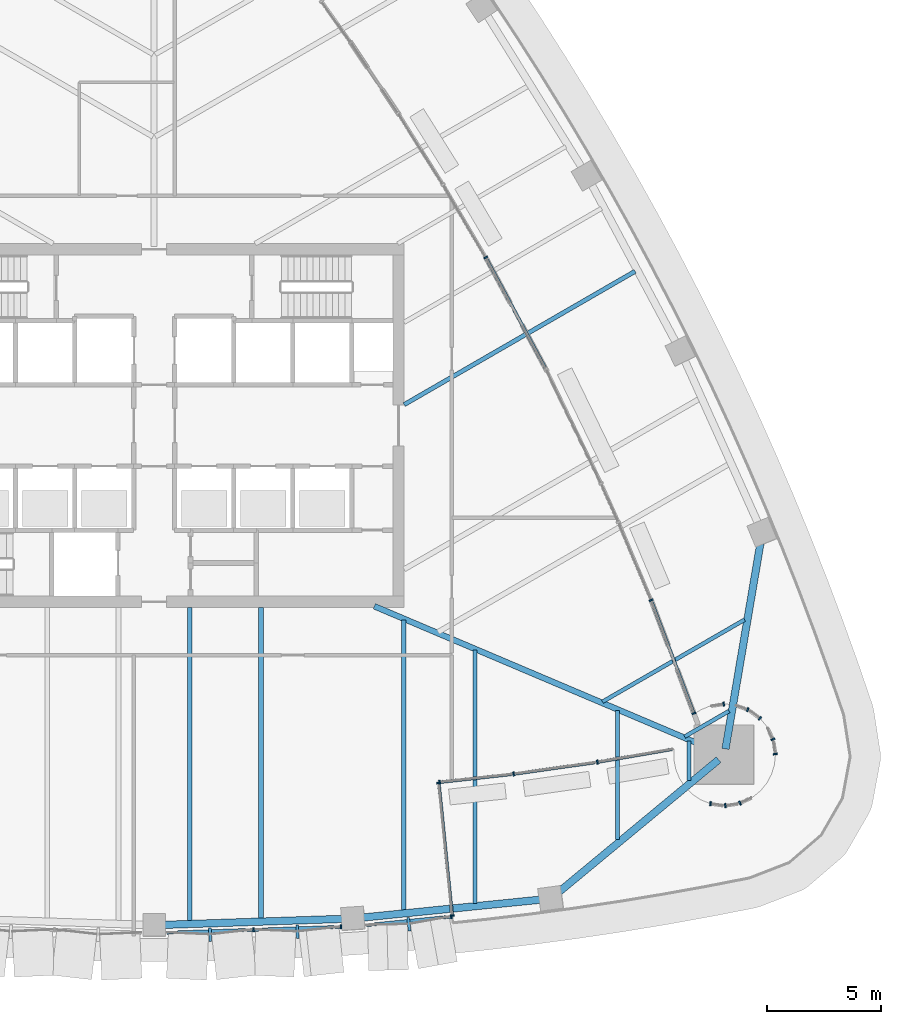
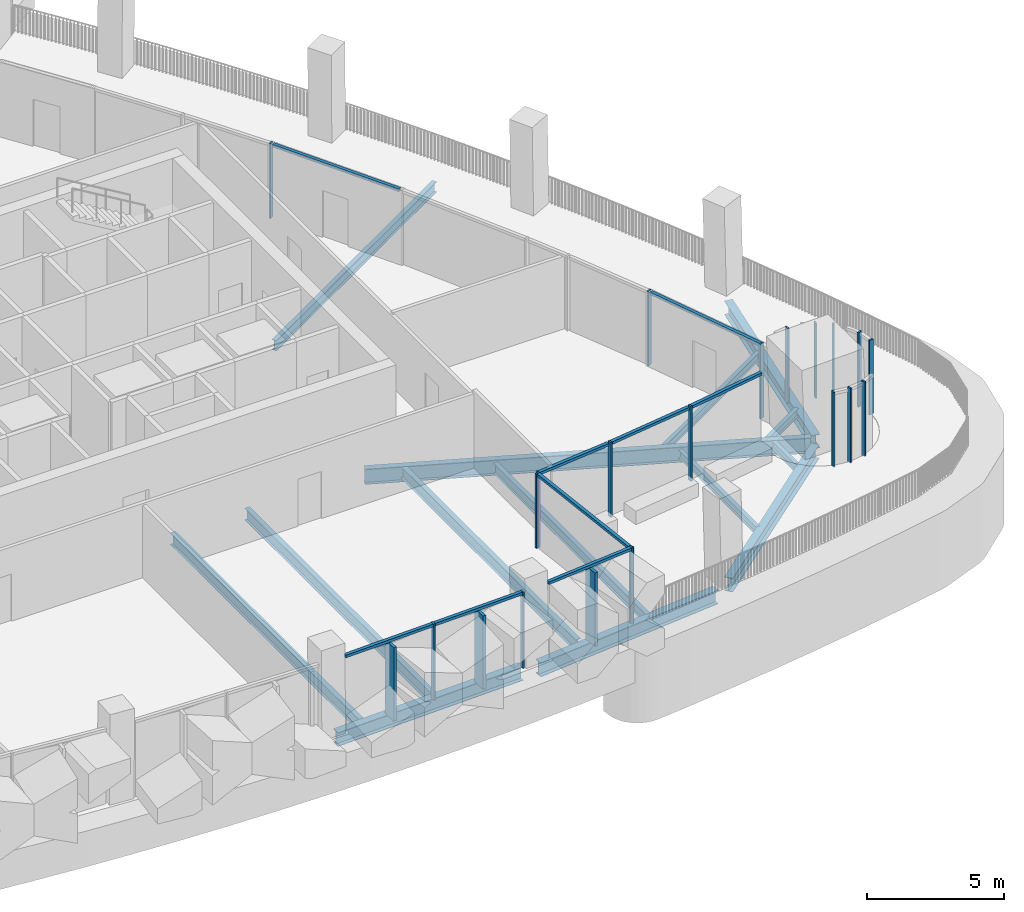
# One storey, part 4 of 20: 31 members, 14 beams, 18 elements without a shape of their own.
"""IFC4 building model written with IfcOpenShell, lengths in metres."""

from ifc_helpers import new_model, si_unit, direction, frame, origin, origin_2d, place, context, subcontext, project, spatial, rectangle, i_section, extrude, material, layer, layer_set, material_profile, profile_set, type_object, element, aggregate, save


model = new_model("IFC4")

# Units and contexts
model_context = context("Model", 3, precision=1e-05, world=origin(), true_north=direction((0.0, 1.0)))
body_context = subcontext(model_context, "Body", "Model", "MODEL_VIEW")
ifc_project = project(units=[si_unit("LENGTHUNIT", "METRE"), si_unit("AREAUNIT", "SQUARE_METRE"), si_unit("VOLUMEUNIT", "CUBIC_METRE"), si_unit("PLANEANGLEUNIT", "RADIAN"), si_unit("MASSUNIT", "GRAM", prefix="KILO")], contexts=[model_context])

# Site, building, storey
site_placement = place(None, origin())
site = spatial("IfcSite", under=ifc_project, at=site_placement, CompositionType="ELEMENT")
building_placement = place(site_placement, origin())
building = spatial("IfcBuilding", under=site, at=building_placement, Name="Sierra Prisma Convention Tower", CompositionType="ELEMENT")
storey_placement = place(building_placement, frame((0.0, 0.0, 125.800048828125)))
storey = spatial("IfcBuildingStorey", under=building, at=storey_placement, Name="L26", CompositionType="ELEMENT", Elevation=125.800048828125)

# Curtain wall, members
ifc_material_1 = material(Name="Aluminium and glass curtain wall", Category="aluminium")
ifc_layer_1 = layer(ifc_material_1, 0.179931640625)
ifc_layer_set_1 = layer_set([ifc_layer_1], Name="CW-2 Faceted crystal curtain wall")
curtain_wall_type_1 = type_object("IfcCurtainWallType", Name="CW-2 Faceted crystal curtain wall", PredefinedType="NOTDEFINED", material=ifc_layer_set_1)
curtain_wall_1_placement = place(storey_placement, origin())
curtain_wall_1 = element("IfcCurtainWall", 1, at=curtain_wall_1_placement, inside=storey, type_object=curtain_wall_type_1, Name="CW-2 S4 L26", PredefinedType="NOTDEFINED")
ifc_material_2 = material(Name="Aluminium 6063-T6 bronze anodised", Category="aluminium")
ifc_material_profile_1 = material_profile(ifc_material_2, rectangle(XDim=0.1201171875, YDim=0.60009765625, at=origin_2d()), Name="ALU RIDGE BLADE 120x600")
ifc_profile_set_1 = profile_set([ifc_material_profile_1], Name="Aluminium 6063-T6 bronze anodised")
member_type_1 = type_object("IfcMemberType", Name="CW hip bronze", PredefinedType="MULLION", material=ifc_profile_set_1)
member_1_placement = place(storey_placement, frame((2.4619140625, -22.402099609375, 0.0), z_axis=(0.0, 0.0, 1.0), x_axis=(0.999441317343, 0.033422345631, 0.0)))
member_1 = element("IfcMember", 2, at=member_1_placement, type_object=member_type_1, Name="CW-2 ridge S4.1", PredefinedType="MULLION", context=body_context, shape_type="SweptSolid", body=[
    extrude(rectangle(XDim=0.1201171875, YDim=0.60009765625, at=origin_2d()), origin(), (0.0, 0.0, 1.0), 3.280029296875),
])
member_2_placement = place(storey_placement, frame((6.30615234375, -22.2734375, 0.0), z_axis=(0.0, 0.0, 1.0), x_axis=(0.999441317343, 0.033422345631, 0.0)))
member_2 = element("IfcMember", 3, at=member_2_placement, type_object=member_type_1, Name="CW-2 ridge S4.2", PredefinedType="MULLION", context=body_context, shape_type="SweptSolid", body=[
    extrude(rectangle(XDim=0.1201171875, YDim=0.60009765625, at=origin_2d()), origin(), (0.0, 0.0, 1.0), 3.280029296875),
])

# Curtain wall, member
curtain_wall_2_placement = place(storey_placement, origin())
curtain_wall_2 = element("IfcCurtainWall", 4, at=curtain_wall_2_placement, inside=storey, type_object=curtain_wall_type_1, Name="CW-2 S5 L26", PredefinedType="NOTDEFINED")
member_3_placement = place(storey_placement, frame((11.2060546875, -21.94482421875, 0.0), z_axis=(0.0, 0.0, 1.0), x_axis=(0.994975600908, 0.100117698725, 0.0)))
member_3 = element("IfcMember", 5, at=member_3_placement, type_object=member_type_1, Name="CW-2 ridge S5.1", PredefinedType="MULLION", context=body_context, shape_type="SweptSolid", body=[
    extrude(rectangle(XDim=0.1201171875, YDim=0.60009765625, at=origin_2d()), origin(), (0.0, 0.0, 1.0), 3.280029296875),
])

# Member
ifc_material_3 = material(Name="Aluminium 6063-T6 bronze anodised", Category="aluminium")
ifc_material_profile_2 = material_profile(ifc_material_3, rectangle(XDim=0.179931640625, YDim=0.070068359375, at=origin_2d()), Name="ALU MULLION 70x180")
ifc_profile_set_2 = profile_set([ifc_material_profile_2], Name="Aluminium 6063-T6 bronze anodised")
member_type_2 = type_object("IfcMemberType", Name="CW mullion bronze", PredefinedType="MULLION", material=ifc_profile_set_2)
member_4_placement = place(storey_placement, frame((4.379150390625, -22.189208984375, 0.0), z_axis=(0.0, 0.0, 1.0), x_axis=(-0.033422345631, 0.999441317343, 0.0)))
member_4 = element("IfcMember", 6, at=member_4_placement, type_object=member_type_2, Name="CW-1 mullion S4.2", PredefinedType="MULLION", context=body_context, shape_type="SweptSolid", body=[
    extrude(rectangle(XDim=0.179931640625, YDim=0.070068359375, at=origin_2d()), origin(), (0.0, 0.0, 1.0), 3.39990234375),
])

member_5_placement = place(storey_placement, frame((8.223388671875, -22.060791015625, 0.0), z_axis=(0.0, 0.0, 1.0), x_axis=(-0.033422345631, 0.999441317343, 0.0)))
member_5 = element("IfcMember", 7, at=member_5_placement, type_object=member_type_2, Name="CW-1 mullion S4.3", PredefinedType="MULLION", context=body_context, shape_type="SweptSolid", body=[
    extrude(rectangle(XDim=0.179931640625, YDim=0.070068359375, at=origin_2d()), origin(), (0.0, 0.0, 1.0), 3.39990234375),
])

member_6_placement = place(storey_placement, frame((13.07958984375, -21.60888671875, 0.0), z_axis=(0.0, 0.0, 1.0), x_axis=(-0.100117698725, 0.994975600908, 0.0)))
member_6 = element("IfcMember", 8, at=member_6_placement, type_object=member_type_2, Name="CW-1 mullion S5.2", PredefinedType="MULLION", context=body_context, shape_type="SweptSolid", body=[
    extrude(rectangle(XDim=0.179931640625, YDim=0.070068359375, at=origin_2d()), origin(), (0.0, 0.0, 1.0), 3.39990234375),
])

# Curtain wall, member
ifc_material_4 = material(Name="Aluminium and glass curtain wall", Category="aluminium")
ifc_layer_2 = layer(ifc_material_4, 0.179931640625)
ifc_layer_set_2 = layer_set([ifc_layer_2], Name="CW-6 Terrace recess curtain wall")
curtain_wall_type_2 = type_object("IfcCurtainWallType", Name="CW-6 Terrace recess curtain wall", PredefinedType="NOTDEFINED", material=ifc_layer_set_2)
curtain_wall_3_placement = place(storey_placement, origin())
curtain_wall_3 = element("IfcCurtainWall", 9, at=curtain_wall_3_placement, inside=storey, type_object=curtain_wall_type_2, Name="CW-6 R1 L26", PredefinedType="NOTDEFINED")
member_7_placement = place(storey_placement, frame((12.554443359375, -15.69140625, 0.0), z_axis=(0.0, 0.0, 1.0), x_axis=(-0.109001946143, 0.994041536223, 0.0)))
member_7 = element("IfcMember", 10, at=member_7_placement, type_object=member_type_2, Name="CW-6 mullion R1.1", PredefinedType="MULLION", context=body_context, shape_type="SweptSolid", body=[
    extrude(rectangle(XDim=0.179931640625, YDim=0.070068359375, at=origin_2d()), origin(), (0.0, 0.0, 1.0), 3.33984375),
])

curtain_wall_4_placement = place(storey_placement, origin())
curtain_wall_4 = element("IfcCurtainWall", 11, at=curtain_wall_4_placement, inside=storey, type_object=curtain_wall_type_2, Name="CW-6 R2 L26", PredefinedType="NOTDEFINED")
member_8_placement = place(storey_placement, frame((15.814453125, -15.3330078125, 0.0), z_axis=(0.0, 0.0, 1.0), x_axis=(-0.14067469766, 0.990055871877, 0.0)))
member_8 = element("IfcMember", 12, at=member_8_placement, type_object=member_type_2, Name="CW-6 mullion R2.1", PredefinedType="MULLION", context=body_context, shape_type="SweptSolid", body=[
    extrude(rectangle(XDim=0.179931640625, YDim=0.070068359375, at=origin_2d()), origin(), (0.0, 0.0, 1.0), 3.33984375),
])

curtain_wall_5_placement = place(storey_placement, origin())
curtain_wall_5 = element("IfcCurtainWall", 13, at=curtain_wall_5_placement, inside=storey, type_object=curtain_wall_type_2, Name="CW-6 R3 L26", PredefinedType="NOTDEFINED")
member_9_placement = place(storey_placement, frame((19.499755859375, -14.80810546875, 0.0), z_axis=(0.0, 0.0, 1.0), x_axis=(-0.169468936803, 0.985535529273, 0.0)))
member_9 = element("IfcMember", 14, at=member_9_placement, type_object=member_type_2, Name="CW-6 mullion R3.1", PredefinedType="MULLION", context=body_context, shape_type="SweptSolid", body=[
    extrude(rectangle(XDim=0.179931640625, YDim=0.070068359375, at=origin_2d()), origin(), (0.0, 0.0, 1.0), 3.33984375),
])

curtain_wall_6_placement = place(storey_placement, origin())
curtain_wall_6 = element("IfcCurtainWall", 15, at=curtain_wall_6_placement, inside=storey, type_object=curtain_wall_type_2, Name="CW-6 R11 L26", PredefinedType="NOTDEFINED")
member_10_placement = place(storey_placement, frame((24.480712890625, -16.63623046875, 0.0), z_axis=(0.0, 0.0, 1.0), x_axis=(0.146730474455, 0.989176509965, 0.0)))
member_10 = element("IfcMember", 16, at=member_10_placement, type_object=member_type_2, Name="CW-6 mullion R11.1", PredefinedType="MULLION", context=body_context, shape_type="SweptSolid", body=[
    extrude(rectangle(XDim=0.179931640625, YDim=0.070068359375, at=origin_2d()), origin(), (0.0, 0.0, 1.0), 3.33984375),
])
aggregate(curtain_wall_6, [member_10])

curtain_wall_7_placement = place(storey_placement, origin())
curtain_wall_7 = element("IfcCurtainWall", 17, at=curtain_wall_7_placement, inside=storey, type_object=curtain_wall_type_2, Name="CW-6 R12 L26", PredefinedType="NOTDEFINED")
member_11_placement = place(storey_placement, frame((25.13037109375, -16.722412109375, 0.0), z_axis=(0.0, 0.0, 1.0), x_axis=(-0.146730474455, 0.989176509965, 0.0)))
member_11 = element("IfcMember", 18, at=member_11_placement, type_object=member_type_2, Name="CW-6 mullion R12.1", PredefinedType="MULLION", context=body_context, shape_type="SweptSolid", body=[
    extrude(rectangle(XDim=0.179931640625, YDim=0.070068359375, at=origin_2d()), origin(), (0.0, 0.0, 1.0), 3.33984375),
])
aggregate(curtain_wall_7, [member_11])

curtain_wall_8_placement = place(storey_placement, origin())
curtain_wall_8 = element("IfcCurtainWall", 19, at=curtain_wall_8_placement, inside=storey, type_object=curtain_wall_type_2, Name="CW-6 R13 L26", PredefinedType="NOTDEFINED")
member_12_placement = place(storey_placement, frame((25.77734375, -16.6162109375, 0.0), z_axis=(0.0, 0.0, 1.0), x_axis=(-0.42755509343, 0.903989293123, 0.0)))
member_12 = element("IfcMember", 20, at=member_12_placement, type_object=member_type_2, Name="CW-6 mullion R13.1", PredefinedType="MULLION", context=body_context, shape_type="SweptSolid", body=[
    extrude(rectangle(XDim=0.179931640625, YDim=0.070068359375, at=origin_2d()), origin(), (0.0, 0.0, 1.0), 3.33984375),
])
aggregate(curtain_wall_8, [member_12])

curtain_wall_9_placement = place(storey_placement, origin())
curtain_wall_9 = element("IfcCurtainWall", 21, at=curtain_wall_9_placement, inside=storey, type_object=curtain_wall_type_2, Name="CW-6 R19 L26", PredefinedType="NOTDEFINED")
member_13_placement = place(storey_placement, frame((27.3291015625, -14.454345703125, 0.0), z_axis=(0.0, 0.0, 1.0), x_axis=(-0.989176509965, -0.146730474455, 0.0)))
member_13 = element("IfcMember", 22, at=member_13_placement, type_object=member_type_2, Name="CW-6 mullion R19.1", PredefinedType="MULLION", context=body_context, shape_type="SweptSolid", body=[
    extrude(rectangle(XDim=0.179931640625, YDim=0.070068359375, at=origin_2d()), origin(), (0.0, 0.0, 1.0), 3.33984375),
])
aggregate(curtain_wall_9, [member_13])

curtain_wall_10_placement = place(storey_placement, origin())
curtain_wall_10 = element("IfcCurtainWall", 23, at=curtain_wall_10_placement, inside=storey, type_object=curtain_wall_type_2, Name="CW-6 R20 L26", PredefinedType="NOTDEFINED")
member_14_placement = place(storey_placement, frame((27.222900390625, -13.8076171875, 0.0), z_axis=(0.0, 0.0, 1.0), x_axis=(-0.903989293123, -0.42755509343, 0.0)))
member_14 = element("IfcMember", 24, at=member_14_placement, type_object=member_type_2, Name="CW-6 mullion R20.1", PredefinedType="MULLION", context=body_context, shape_type="SweptSolid", body=[
    extrude(rectangle(XDim=0.179931640625, YDim=0.070068359375, at=origin_2d()), origin(), (0.0, 0.0, 1.0), 3.33984375),
])
aggregate(curtain_wall_10, [member_14])

curtain_wall_11_placement = place(storey_placement, origin())
curtain_wall_11 = element("IfcCurtainWall", 25, at=curtain_wall_11_placement, inside=storey, type_object=curtain_wall_type_2, Name="CW-6 R22 L26", PredefinedType="NOTDEFINED")
member_15_placement = place(storey_placement, frame((26.650634765625, -12.88525390625, 0.0), z_axis=(0.0, 0.0, 1.0), x_axis=(-0.595699304492, -0.803207531481, 0.0)))
member_15 = element("IfcMember", 26, at=member_15_placement, type_object=member_type_2, Name="CW-6 mullion R22.1", PredefinedType="MULLION", context=body_context, shape_type="SweptSolid", body=[
    extrude(rectangle(XDim=0.179931640625, YDim=0.070068359375, at=origin_2d()), origin(), (0.0, 0.0, 1.0), 3.33984375),
])
aggregate(curtain_wall_11, [member_15])

curtain_wall_12_placement = place(storey_placement, origin())
curtain_wall_12 = element("IfcCurtainWall", 27, at=curtain_wall_12_placement, inside=storey, type_object=curtain_wall_type_2, Name="CW-6 R23 L26", PredefinedType="NOTDEFINED")
member_16_placement = place(storey_placement, frame((26.1181640625, -12.503173828125, 0.0), z_axis=(0.0, 0.0, 1.0), x_axis=(-0.336889853392, -0.941544065183, 0.0)))
member_16 = element("IfcMember", 28, at=member_16_placement, type_object=member_type_2, Name="CW-6 mullion R23.1", PredefinedType="MULLION", context=body_context, shape_type="SweptSolid", body=[
    extrude(rectangle(XDim=0.179931640625, YDim=0.070068359375, at=origin_2d()), origin(), (0.0, 0.0, 1.0), 3.33984375),
])
aggregate(curtain_wall_12, [member_16])

curtain_wall_13_placement = place(storey_placement, origin())
curtain_wall_13 = element("IfcCurtainWall", 29, at=curtain_wall_13_placement, inside=storey, type_object=curtain_wall_type_2, Name="CW-6 R25 L26", PredefinedType="NOTDEFINED")
member_17_placement = place(storey_placement, frame((25.061279296875, -12.255615234375, 0.0), z_axis=(0.0, 0.0, 1.0), x_axis=(0.146730474455, -0.989176509965, 0.0)))
member_17 = element("IfcMember", 30, at=member_17_placement, type_object=member_type_2, Name="CW-6 mullion R25.1", PredefinedType="MULLION", context=body_context, shape_type="SweptSolid", body=[
    extrude(rectangle(XDim=0.179931640625, YDim=0.070068359375, at=origin_2d()), origin(), (0.0, 0.0, 1.0), 3.33984375),
])
aggregate(curtain_wall_13, [member_17])

curtain_wall_14_placement = place(storey_placement, origin())
curtain_wall_14 = element("IfcCurtainWall", 31, at=curtain_wall_14_placement, inside=storey, type_object=curtain_wall_type_2, Name="CW-6 R28 L26", PredefinedType="NOTDEFINED")
member_18_placement = place(storey_placement, frame((23.746826171875, -12.6640625, 0.0), z_axis=(0.0, 0.0, 1.0), x_axis=(-0.935578152434, -0.353119697394, 0.0)))
member_18 = element("IfcMember", 32, at=member_18_placement, type_object=member_type_2, Name="CW-6 mullion R28.1", PredefinedType="MULLION", context=body_context, shape_type="SweptSolid", body=[
    extrude(rectangle(XDim=0.179931640625, YDim=0.070068359375, at=origin_2d()), origin(), (0.0, 0.0, 1.0), 3.33984375),
])

curtain_wall_15_placement = place(storey_placement, origin())
curtain_wall_15 = element("IfcCurtainWall", 33, at=curtain_wall_15_placement, inside=storey, type_object=curtain_wall_type_2, Name="CW-6 R29 L26", PredefinedType="NOTDEFINED")
member_19_placement = place(storey_placement, frame((21.86669921875, -7.686279296875, 0.0), z_axis=(0.0, 0.0, 1.0), x_axis=(-0.922104010731, -0.386942105998, 0.0)))
member_19 = element("IfcMember", 34, at=member_19_placement, type_object=member_type_2, Name="CW-6 mullion R29.1", PredefinedType="MULLION", context=body_context, shape_type="SweptSolid", body=[
    extrude(rectangle(XDim=0.179931640625, YDim=0.070068359375, at=origin_2d()), origin(), (0.0, 0.0, 1.0), 3.33984375),
])
aggregate(curtain_wall_15, [member_19])

curtain_wall_16_placement = place(storey_placement, origin())
curtain_wall_16 = element("IfcCurtainWall", 35, at=curtain_wall_16_placement, inside=storey, type_object=curtain_wall_type_2, Name="CW-6 R33 L26", PredefinedType="NOTDEFINED")
member_20_placement = place(storey_placement, frame((14.591552734375, 7.39013671875, 0.0), z_axis=(0.0, 0.0, 1.0), x_axis=(-0.862287257133, -0.506419476507, 0.0)))
member_20 = element("IfcMember", 36, at=member_20_placement, type_object=member_type_2, Name="CW-6 mullion R33.1", PredefinedType="MULLION", context=body_context, shape_type="SweptSolid", body=[
    extrude(rectangle(XDim=0.179931640625, YDim=0.070068359375, at=origin_2d()), origin(), (0.0, 0.0, 1.0), 3.33984375),
])
aggregate(curtain_wall_16, [member_20])

# Curtain wall, members
curtain_wall_17_placement = place(storey_placement, origin())
curtain_wall_17 = element("IfcCurtainWall", 37, at=curtain_wall_17_placement, inside=storey, type_object=curtain_wall_type_2, Name="CW-6 RT1 L26", PredefinedType="NOTDEFINED")
member_21_placement = place(storey_placement, frame((13.11083984375, -21.570556640625, 0.0), z_axis=(0.0, 0.0, 1.0), x_axis=(-0.994975600908, -0.100117698725, 0.0)))
member_21 = element("IfcMember", 38, at=member_21_placement, type_object=member_type_2, Name="CW-6 mullion RT1.1", PredefinedType="MULLION", context=body_context, shape_type="SweptSolid", body=[
    extrude(rectangle(XDim=0.179931640625, YDim=0.070068359375, at=origin_2d()), origin(), (0.0, 0.0, 1.0), 3.33984375),
])
member_22_placement = place(storey_placement, frame((12.523193359375, -15.730224609375, 0.0), z_axis=(0.0, 0.0, 1.0), x_axis=(-0.994975600908, -0.100117698725, 0.0)))
member_22 = element("IfcMember", 39, at=member_22_placement, type_object=member_type_2, Name="CW-6 mullion RT1.2", PredefinedType="MULLION", context=body_context, shape_type="SweptSolid", body=[
    extrude(rectangle(XDim=0.179931640625, YDim=0.070068359375, at=origin_2d()), origin(), (0.0, 0.0, 1.0), 3.33984375),
])

# Member
ifc_material_5 = material(Name="Aluminium 6063-T6 bronze anodised", Category="aluminium")
ifc_material_profile_3 = material_profile(ifc_material_5, rectangle(XDim=0.139892578125, YDim=0.1201171875, at=origin_2d()), Name="ALU TRANSOM 120x140")
ifc_profile_set_3 = profile_set([ifc_material_profile_3], Name="Aluminium 6063-T6 bronze anodised")
member_type_3 = type_object("IfcMemberType", Name="CW transom bronze", PredefinedType="USERDEFINED", material=ifc_profile_set_3)
member_23_placement = place(storey_placement, frame((0.569580078125, -22.316650390625, 3.33984375), z_axis=(0.999441313675, 0.033422455315, 0.0), x_axis=(-0.033422455315, 0.999441313675, 0.0)))
member_23 = element("IfcMember", 40, at=member_23_placement, type_object=member_type_3, Name="CW-1 transom S4.1", ObjectType="TRANSOM", PredefinedType="USERDEFINED", context=body_context, shape_type="SweptSolid", body=[
    extrude(rectangle(XDim=0.139892578125, YDim=0.1201171875, at=origin_2d()), origin(), (0.0, 0.0, 1.0), 3.776611328125),
])

member_24_placement = place(storey_placement, frame((4.4140625, -22.18798828125, 3.33984375), z_axis=(0.999441313675, 0.033422455315, 0.0), x_axis=(-0.033422455315, 0.999441313675, 0.0)))
member_24 = element("IfcMember", 41, at=member_24_placement, type_object=member_type_3, Name="CW-1 transom S4.2", ObjectType="TRANSOM", PredefinedType="USERDEFINED", context=body_context, shape_type="SweptSolid", body=[
    extrude(rectangle(XDim=0.139892578125, YDim=0.1201171875, at=origin_2d()), origin(), (0.0, 0.0, 1.0), 3.776611328125),
])

aggregate(curtain_wall_1, [member_4, member_5, member_23, member_1, member_24, member_2])

member_25_placement = place(storey_placement, frame((9.337890625, -21.9853515625, 3.33984375), z_axis=(0.99497405439, 0.100133066924, 0.0), x_axis=(-0.100133066924, 0.99497405439, 0.0)))
member_25 = element("IfcMember", 42, at=member_25_placement, type_object=member_type_3, Name="CW-1 transom S5.1", ObjectType="TRANSOM", PredefinedType="USERDEFINED", context=body_context, shape_type="SweptSolid", body=[
    extrude(rectangle(XDim=0.139892578125, YDim=0.1201171875, at=origin_2d()), origin(), (0.0, 0.0, 1.0), 3.7255859375),
])

aggregate(curtain_wall_2, [member_6, member_25, member_3])

member_26_placement = place(storey_placement, frame((12.589111328125, -15.687744140625, 3.280029296875), z_axis=(0.994040134661, 0.109014726908, 0.0), x_axis=(-0.109014726908, 0.994040134661, 0.0)))
member_26 = element("IfcMember", 43, at=member_26_placement, type_object=member_type_3, Name="CW-6 transom R1.1", ObjectType="TRANSOM", PredefinedType="USERDEFINED", context=body_context, shape_type="SweptSolid", body=[
    extrude(rectangle(XDim=0.139892578125, YDim=0.1201171875, at=origin_2d()), origin(), (0.0, 0.0, 1.0), 3.139892578125),
])

aggregate(curtain_wall_3, [member_7, member_26])

member_27_placement = place(storey_placement, frame((15.84912109375, -15.327880859375, 3.280029296875), z_axis=(0.990058236671, 0.140658053448, 0.0), x_axis=(-0.140658053448, 0.990058236671, 0.0)))
member_27 = element("IfcMember", 44, at=member_27_placement, type_object=member_type_3, Name="CW-6 transom R2.1", ObjectType="TRANSOM", PredefinedType="USERDEFINED", context=body_context, shape_type="SweptSolid", body=[
    extrude(rectangle(XDim=0.139892578125, YDim=0.1201171875, at=origin_2d()), origin(), (0.0, 0.0, 1.0), 3.58251953125),
])

aggregate(curtain_wall_4, [member_8, member_27])

member_28_placement = place(storey_placement, frame((19.534423828125, -14.80224609375, 3.280029296875), z_axis=(0.985531807547, 0.16949057883, 0.0), x_axis=(-0.16949057883, 0.985531807547, 0.0)))
member_28 = element("IfcMember", 45, at=member_28_placement, type_object=member_type_3, Name="CW-6 transom R3.1", ObjectType="TRANSOM", PredefinedType="USERDEFINED", context=body_context, shape_type="SweptSolid", body=[
    extrude(rectangle(XDim=0.139892578125, YDim=0.1201171875, at=origin_2d()), origin(), (0.0, 0.0, 1.0), 3.31884765625),
])

aggregate(curtain_wall_5, [member_9, member_28])

member_29_placement = place(storey_placement, frame((23.734619140625, -12.63134765625, 3.280029296875), z_axis=(-0.353121067667, 0.935577635245, 0.0), x_axis=(-0.935577635245, -0.353121067667, 0.0)))
member_29 = element("IfcMember", 46, at=member_29_placement, type_object=member_type_3, Name="CW-6 transom R28.1", ObjectType="TRANSOM", PredefinedType="USERDEFINED", context=body_context, shape_type="SweptSolid", body=[
    extrude(rectangle(XDim=0.139892578125, YDim=0.1201171875, at=origin_2d()), origin(), (0.0, 0.0, 1.0), 5.18115234375),
])

aggregate(curtain_wall_14, [member_18, member_29])

# Curtain wall, member
curtain_wall_18_placement = place(storey_placement, origin())
curtain_wall_18 = element("IfcCurtainWall", 47, at=curtain_wall_18_placement, inside=storey, type_object=curtain_wall_type_2, Name="CW-6 R32 L26", PredefinedType="NOTDEFINED")
member_30_placement = place(storey_placement, frame((17.22314453125, 2.505126953125, 3.280029296875), z_axis=(-0.474043659173, 0.880501339691, 0.0), x_axis=(-0.880501339691, -0.474043659173, 0.0)))
member_30 = element("IfcMember", 48, at=member_30_placement, type_object=member_type_3, Name="CW-6 transom R32.1", ObjectType="TRANSOM", PredefinedType="USERDEFINED", context=body_context, shape_type="SweptSolid", body=[
    extrude(rectangle(XDim=0.139892578125, YDim=0.1201171875, at=origin_2d()), origin(), (0.0, 0.0, 1.0), 5.44384765625),
])
aggregate(curtain_wall_18, [member_30])

# Member
member_31_placement = place(storey_placement, frame((13.107421875, -21.53564453125, 3.280029296875), z_axis=(-0.10014135847, 0.994973219903, 0.0), x_axis=(-0.994973219903, -0.10014135847, 0.0)))
member_31 = element("IfcMember", 49, at=member_31_placement, type_object=member_type_3, Name="CW-6 transom RT1.1", ObjectType="TRANSOM", PredefinedType="USERDEFINED", context=body_context, shape_type="SweptSolid", body=[
    extrude(rectangle(XDim=0.139892578125, YDim=0.1201171875, at=origin_2d()), origin(), (0.0, 0.0, 1.0), 5.7998046875),
])

aggregate(curtain_wall_17, [member_21, member_22, member_31])

# Beams
ifc_material_6 = material(Name="Steel ASTM A992 Gr 50", Category="steel")
ifc_material_profile_4 = material_profile(ifc_material_6, i_section(OverallWidth=0.172119140625, OverallDepth=0.35791015625, WebThickness=0.0078125, FlangeThickness=0.01318359375, at=origin_2d()), Name="W360x57")
ifc_profile_set_4 = profile_set([ifc_material_profile_4], Name="Steel ASTM A992 Gr 50")
beam_type_1 = type_object("IfcBeamType", Name="Floor joist W360x57", PredefinedType="JOIST", material=ifc_profile_set_4)
beam_1_placement = place(storey_placement, frame((20.390380859375, -18.225341796875, -0.47900390625), z_axis=(0.0, 1.0, 0.0), x_axis=(-1.0, 0.0, 0.0)))
element("IfcBeam", 50, at=beam_1_placement, inside=storey, type_object=beam_type_1, Name="Floor joist L26 S15", PredefinedType="JOIST", context=body_context, shape_type="SweptSolid", body=[
    extrude(i_section(OverallWidth=0.172119140625, OverallDepth=0.35791015625, WebThickness=0.0078125, FlangeThickness=0.01318359375, at=origin_2d()), origin(), (0.0, 0.0, 1.0), 5.67724609375),
])
beam_2_placement = place(storey_placement, frame((23.52734375, -15.627197265625, -0.3291015625), z_axis=(0.0, 1.0, 0.0), x_axis=(-1.0, 0.0, 0.0)))
element("IfcBeam", 51, at=beam_2_placement, inside=storey, type_object=beam_type_1, Name="Floor joist L26 S16", PredefinedType="JOIST", context=body_context, shape_type="SweptSolid", body=[
    extrude(i_section(OverallWidth=0.172119140625, OverallDepth=0.35791015625, WebThickness=0.0078125, FlangeThickness=0.01318359375, at=origin_2d()), origin(), (0.0, 0.0, 1.0), 1.748291015625),
])
beam_3_placement = place(storey_placement, frame((25.297119140625, -12.561767578125, -0.3291015625), z_axis=(-0.86603787505, -0.499978398512, 0.0), x_axis=(0.499978398512, -0.86603787505, 0.0)))
element("IfcBeam", 52, at=beam_3_placement, inside=storey, type_object=beam_type_1, Name="Floor joist L26 NE01", PredefinedType="JOIST", context=body_context, shape_type="SweptSolid", body=[
    extrude(i_section(OverallWidth=0.172119140625, OverallDepth=0.35791015625, WebThickness=0.0078125, FlangeThickness=0.01318359375, at=origin_2d()), origin(), (0.0, 0.0, 1.0), 2.2568359375),
])
beam_4_placement = place(storey_placement, frame((25.978759765625, -8.5458984375, -0.47900390625), z_axis=(-0.866032984638, -0.499986869347, 0.0), x_axis=(0.499986869347, -0.866032984638, 0.0)))
element("IfcBeam", 53, at=beam_4_placement, inside=storey, type_object=beam_type_1, Name="Floor joist L26 NE02", PredefinedType="JOIST", context=body_context, shape_type="SweptSolid", body=[
    extrude(i_section(OverallWidth=0.172119140625, OverallDepth=0.35791015625, WebThickness=0.0078125, FlangeThickness=0.01318359375, at=origin_2d()), origin(), (0.0, 0.0, 1.0), 7.219970703125),
])
ifc_material_7 = material(Name="Steel ASTM A992 Gr 50", Category="steel")
ifc_material_profile_5 = material_profile(ifc_material_7, i_section(OverallWidth=0.18994140625, OverallDepth=0.45703125, WebThickness=0.009033203125, FlangeThickness=0.014404296875, at=origin_2d()), Name="W460x74")
ifc_profile_set_5 = profile_set([ifc_material_profile_5], Name="Steel ASTM A992 Gr 50")
beam_type_2 = type_object("IfcBeamType", Name="Floor joist W460x74", PredefinedType="JOIST", material=ifc_profile_set_5)
beam_5_placement = place(storey_placement, frame((14.116455078125, -21.03955078125, -0.528564453125), z_axis=(0.0, 1.0, 0.0), x_axis=(-1.0, 0.0, 0.0)))
element("IfcBeam", 54, at=beam_5_placement, inside=storey, type_object=beam_type_2, Name="Floor joist L26 S13", PredefinedType="JOIST", context=body_context, shape_type="SweptSolid", body=[
    extrude(i_section(OverallWidth=0.18994140625, OverallDepth=0.45703125, WebThickness=0.009033203125, FlangeThickness=0.014404296875, at=origin_2d()), origin(), (0.0, 0.0, 1.0), 11.153076171875),
])
beam_6_placement = place(storey_placement, frame((21.1591796875, 6.782958984375, -0.528564453125), z_axis=(-0.86602269484, -0.500004692, 0.0), x_axis=(0.500004692, -0.86602269484, 0.0)))
element("IfcBeam", 55, at=beam_6_placement, inside=storey, type_object=beam_type_2, Name="Floor joist L26 NE07", PredefinedType="JOIST", context=body_context, shape_type="SweptSolid", body=[
    extrude(i_section(OverallWidth=0.18994140625, OverallDepth=0.45703125, WebThickness=0.009033203125, FlangeThickness=0.014404296875, at=origin_2d()), origin(), (0.0, 0.0, 1.0), 11.73095703125),
])
ifc_material_8 = material(Name="Steel ASTM A992 Gr 50", Category="steel")
ifc_material_profile_6 = material_profile(ifc_material_8, i_section(OverallWidth=0.208984375, OverallDepth=0.532958984375, WebThickness=0.01025390625, FlangeThickness=0.015625, at=origin_2d()), Name="W530x92")
ifc_profile_set_6 = profile_set([ifc_material_profile_6], Name="Steel ASTM A992 Gr 50")
beam_type_3 = type_object("IfcBeamType", Name="Floor joist W530x92", PredefinedType="JOIST", material=ifc_profile_set_6)
beam_7_placement = place(storey_placement, frame((1.568603515625, -21.820556640625, -0.41650390625), z_axis=(0.0, 1.0, 0.0), x_axis=(-1.0, 0.0, 0.0)))
element("IfcBeam", 56, at=beam_7_placement, inside=storey, type_object=beam_type_3, Name="Floor joist L26 S09", PredefinedType="JOIST", context=body_context, shape_type="SweptSolid", body=[
    extrude(i_section(OverallWidth=0.208984375, OverallDepth=0.532958984375, WebThickness=0.01025390625, FlangeThickness=0.015625, at=origin_2d()), origin(), (0.0, 0.0, 1.0), 13.820556640625),
])
beam_8_placement = place(storey_placement, frame((4.70556640625, -21.7158203125, -0.41650390625), z_axis=(0.0, 1.0, 0.0), x_axis=(-1.0, 0.0, 0.0)))
element("IfcBeam", 57, at=beam_8_placement, inside=storey, type_object=beam_type_3, Name="Floor joist L26 S10", PredefinedType="JOIST", context=body_context, shape_type="SweptSolid", body=[
    extrude(i_section(OverallWidth=0.208984375, OverallDepth=0.532958984375, WebThickness=0.01025390625, FlangeThickness=0.015625, at=origin_2d()), origin(), (0.0, 0.0, 1.0), 13.7158203125),
])
beam_9_placement = place(storey_placement, frame((10.9794921875, -21.355224609375, -0.41650390625), z_axis=(0.0, 1.0, 0.0), x_axis=(-1.0, 0.0, 0.0)))
element("IfcBeam", 58, at=beam_9_placement, inside=storey, type_object=beam_type_3, Name="Floor joist L26 S12", PredefinedType="JOIST", context=body_context, shape_type="SweptSolid", body=[
    extrude(i_section(OverallWidth=0.208984375, OverallDepth=0.532958984375, WebThickness=0.01025390625, FlangeThickness=0.015625, at=origin_2d()), origin(), (0.0, 0.0, 1.0), 12.7998046875),
])
ifc_material_9 = material(Name="Steel ASTM A992 Gr 50", Category="steel")
ifc_material_profile_7 = material_profile(ifc_material_9, i_section(OverallWidth=0.25390625, OverallDepth=0.68408203125, WebThickness=0.012451171875, FlangeThickness=0.018798828125, at=origin_2d()), Name="W690x140")
ifc_profile_set_7 = profile_set([ifc_material_profile_7], Name="Steel ASTM A992 Gr 50")
beam_type_4 = type_object("IfcBeamType", Name="Radial girder W690x140", PredefinedType="BEAM", material=ifc_profile_set_7)
beam_10_placement = place(storey_placement, frame((24.835693359375, -14.378662109375, -0.491943359375), z_axis=(-0.920584853538, 0.390542606429, 0.0), x_axis=(-0.390542606429, -0.920584853538, 0.0)))
element("IfcBeam", 59, at=beam_10_placement, inside=storey, type_object=beam_type_4, Name="Radial girder L26 SE", PredefinedType="BEAM", context=body_context, shape_type="SweptSolid", body=[
    extrude(i_section(OverallWidth=0.25390625, OverallDepth=0.68408203125, WebThickness=0.012451171875, FlangeThickness=0.018798828125, at=origin_2d()), origin(), (0.0, 0.0, 1.0), 16.452880859375),
])
ifc_material_10 = material(Name="Steel ASTM A992 Gr 50", Category="steel")
ifc_material_profile_8 = material_profile(ifc_material_10, i_section(OverallWidth=0.324951171875, OverallDepth=0.615966796875, WebThickness=0.013916015625, FlangeThickness=0.021484375, at=origin_2d()), Name="W610x174")
ifc_profile_set_8 = profile_set([ifc_material_profile_8], Name="Steel ASTM A992 Gr 50")
beam_type_5 = type_object("IfcBeamType", Name="Spandrel beam W610x174", PredefinedType="BEAM", material=ifc_profile_set_8)
for number, where, z_axis, x_axis, name in (
    (60, (0.380126953125, -21.972900390625, -0.4580078125), (0.999441375191, 0.033420615737, 0.0), (-0.033420615737, 0.999441375191, 0.0), "Spandrel L26-04"),
    (61, (9.1259765625, -21.655029296875, -0.608154296875), (0.994976513528, 0.100108628641, 0.0), (-0.100108628641, 0.994976513528, 0.0), "Spandrel L26-05"),
):
    element("IfcBeam", number, at=place(storey_placement, frame(where, z_axis=z_axis, x_axis=x_axis)), inside=storey, type_object=beam_type_5, Name=name, PredefinedType="BEAM", context=body_context, shape_type="SweptSolid", body=[
        extrude(i_section(OverallWidth=0.324951171875, OverallDepth=0.615966796875, WebThickness=0.013916015625, FlangeThickness=0.021484375, at=origin_2d()), origin(), (0.0, 0.0, 1.0), 7.99169921875),
    ])
beam_11_placement = place(storey_placement, frame((17.8173828125, -20.517578125, -0.608154296875), z_axis=(0.770126090398, 0.637891687427, 0.0), x_axis=(-0.637891687427, 0.770126090398, 0.0)))
element("IfcBeam", 62, at=beam_11_placement, inside=storey, type_object=beam_type_5, Name="Spandrel L26-06", PredefinedType="BEAM", context=body_context, shape_type="SweptSolid", body=[
    extrude(i_section(OverallWidth=0.324951171875, OverallDepth=0.615966796875, WebThickness=0.013916015625, FlangeThickness=0.021484375, at=origin_2d()), origin(), (0.0, 0.0, 1.0), 9.11328125),
])
beam_12_placement = place(storey_placement, frame((25.139892578125, -14.22900390625, -0.608154296875), z_axis=(0.167341595472, 0.98589897577, 0.0), x_axis=(-0.98589897577, 0.167341595472, 0.0)))
element("IfcBeam", 63, at=beam_12_placement, inside=storey, type_object=beam_type_5, Name="Spandrel L26-07", PredefinedType="BEAM", context=body_context, shape_type="SweptSolid", body=[
    extrude(i_section(OverallWidth=0.324951171875, OverallDepth=0.615966796875, WebThickness=0.013916015625, FlangeThickness=0.021484375, at=origin_2d()), origin(), (0.0, 0.0, 1.0), 9.18701171875),
])

save(model, "model.ifc")
